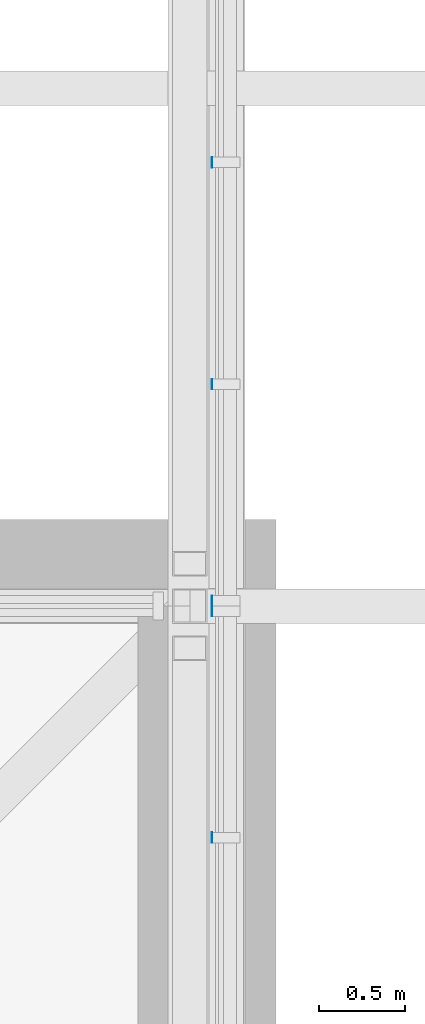
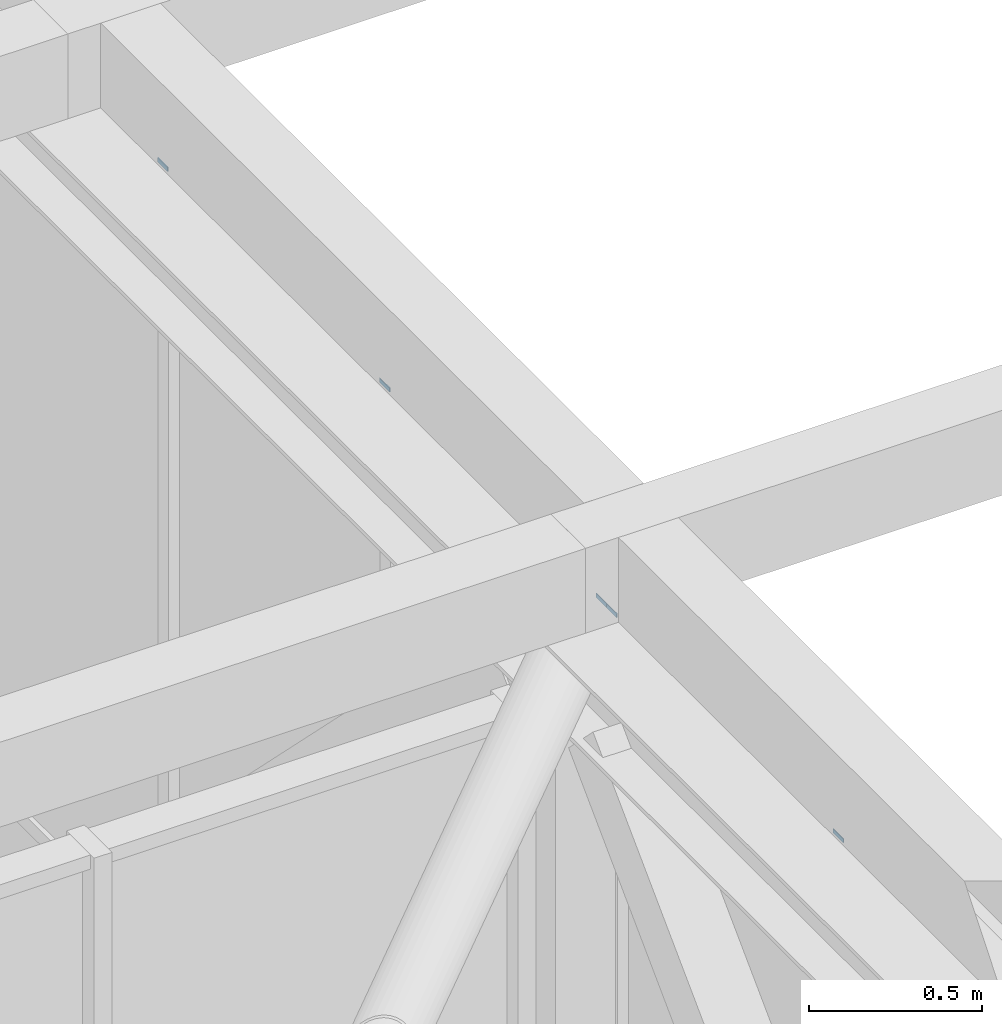
# One storey, part 625 of 646: 5 discrete accessories.
"""IFC4 building model written with IfcOpenShell, lengths in metres."""

import ifcopenshell
import ifcopenshell.guid

model = None  # the IFC model being written
_history = None  # IfcOwnerHistory: only IFC2X3 demands one
_inside = {}  # id of a spatial element -> (the spatial element, [elements in it])
_under = {}  # id of a project, library or spatial element -> (it, [spatial elements below it])
_declared = {}  # id of a project -> (the project, [libraries it declares])
_typed = {}  # id of a type object -> (the type object, [elements of that type])
_made_of = {}  # id of a material, layer set ... -> (it, [elements and type objects made of it])


def new_model(schema):
    """Start an empty IFC model of exactly this schema.

    Asked for "IFC4X3", IfcOpenShell would pick the latest addendum, in which some entities
    have other attributes; the version numbers below select the first issue.
    IFC2X3 requires an IfcOwnerHistory on every rooted entity: one is made here for all.
    """
    global model, _history
    if schema == "IFC4X3":
        model = ifcopenshell.file(schema_version=(4, 3, 0, 0))
    else:
        model = ifcopenshell.file(schema=schema)
    _inside.clear()
    _under.clear()
    _declared.clear()
    _typed.clear()
    _made_of.clear()
    _history = None
    if model.schema == "IFC2X3":
        org = make("IfcOrganization", Name="unknown")
        user = make(
            "IfcPersonAndOrganization",
            ThePerson=make("IfcPerson", FamilyName="unknown"),
            TheOrganization=org,
        )
        app = make(
            "IfcApplication",
            ApplicationDeveloper=org,
            Version="unknown",
            ApplicationFullName="unknown",
            ApplicationIdentifier="unknown",
        )
        _history = make(
            "IfcOwnerHistory",
            OwningUser=user,
            OwningApplication=app,
            ChangeAction="ADDED",
            CreationDate=0,
        )
    return model


def make(cls, **values):
    """One entity of the class cls with the attributes given. An attribute that is None is left unset."""
    return model.create_entity(
        cls, **{name: value for name, value in values.items() if value is not None}
    )


def rooted(cls, **values):
    """An entity with a GlobalId (a new one), such as an element, a storey or a relation."""
    return make(cls, GlobalId=ifcopenshell.guid.new(), OwnerHistory=_history, **values)


def si_unit(unit_type, name, prefix=None):
    """IfcSIUnit, for example si_unit("LENGTHUNIT", "METRE", prefix="MILLI")."""
    return make("IfcSIUnit", UnitType=unit_type, Prefix=prefix, Name=name)


def assignment(units):
    """IfcUnitAssignment: the units of a project."""
    return None if units is None else make("IfcUnitAssignment", Units=units)


def point(xyz):
    """IfcCartesianPoint."""
    return None if xyz is None else make("IfcCartesianPoint", Coordinates=xyz)


def direction(xyz):
    """IfcDirection."""
    return None if xyz is None else make("IfcDirection", DirectionRatios=xyz)


def frame(location, z_axis=None, x_axis=None):
    """IfcAxis2Placement3D, a coordinate frame: its origin and axes. An axis left out is left unset."""
    return make(
        "IfcAxis2Placement3D",
        Location=point(location),
        Axis=direction(z_axis),
        RefDirection=direction(x_axis),
    )


def frame_2d(location, x_axis=None):
    """IfcAxis2Placement2D, a coordinate frame in the plane: its origin and x axis."""
    return make(
        "IfcAxis2Placement2D", Location=point(location), RefDirection=direction(x_axis)
    )


def origin():
    """The frame at (0, 0, 0) with its axes left unset."""
    return frame((0.0, 0.0, 0.0))


def origin_2d():
    """The frame at (0, 0) in the plane with its x axis left unset."""
    return frame_2d((0.0, 0.0))


def place(relative_to, where):
    """IfcLocalPlacement: puts the frame where relative to a parent placement (None: the world)."""
    return make(
        "IfcLocalPlacement", PlacementRelTo=relative_to, RelativePlacement=where
    )


def context(
    kind, dimensions, precision=None, world=None, true_north=None, identifier=None
):
    """IfcGeometricRepresentationContext, for example the 3D "Model" context."""
    return make(
        "IfcGeometricRepresentationContext",
        ContextIdentifier=identifier,
        ContextType=kind,
        CoordinateSpaceDimension=dimensions,
        Precision=precision,
        WorldCoordinateSystem=world,
        TrueNorth=true_north,
    )


def subcontext(parent, identifier, kind, view, scale=None):
    """IfcGeometricRepresentationSubContext, for example "Body" below "Model"."""
    return make(
        "IfcGeometricRepresentationSubContext",
        ContextIdentifier=identifier,
        ContextType=kind,
        ParentContext=parent,
        TargetScale=scale,
        TargetView=view,
    )


def project(units=None, contexts=None):
    """IfcProject with its units and contexts."""
    return rooted(
        "IfcProject",
        Name="project",
        RepresentationContexts=contexts,
        UnitsInContext=assignment(units),
    )


def spatial(cls, under=None, at=None, **own):
    """A site, building, storey or space (cls), placed at a placement, below another one or the project."""
    s = rooted(cls, ObjectPlacement=at, **own)
    if under is not None:
        _under.setdefault(under.id(), (under, []))[1].append(s)
    return s


def profile(cls, at=None, kind="AREA", **sizes):
    """A parametric profile (cls). Its sizes go by their IFC names, for example OverallWidth=200.0."""
    return make(cls, ProfileType=kind, Position=at, **sizes)


def rectangle(**sizes):
    """IfcRectangleProfileDef."""
    return profile("IfcRectangleProfileDef", **sizes)


def extrude(swept, where, along, depth):
    """IfcExtrudedAreaSolid: the profile swept, set in the frame where, extruded along a direction by depth."""
    return make(
        "IfcExtrudedAreaSolid",
        SweptArea=swept,
        Position=where,
        ExtrudedDirection=direction(along),
        Depth=depth,
    )


def shape(context_of_items, identifier, shape_type, items):
    """IfcShapeRepresentation: the items that make up one representation, for example the "Body"."""
    return make(
        "IfcShapeRepresentation",
        ContextOfItems=context_of_items,
        RepresentationIdentifier=identifier,
        RepresentationType=shape_type,
        Items=items,
    )


def material(Name=None, Category=None):
    """IfcMaterial."""
    return make("IfcMaterial", Name=Name, Category=Category)


def made_of(thing, what):
    """Note that an element or type object is made of a material, layer set ...; save() writes the relation."""
    if what is not None:
        _made_of.setdefault(what.id(), (what, []))[1].append(thing)
    return thing


def type_object(cls, material=None, **own):
    """A type object (cls), such as IfcWallType, which elements share."""
    return made_of(rooted(cls, **own), material)


def element(
    cls,
    number,
    at=None,
    inside=None,
    cuts=None,
    type_object=None,
    material=None,
    context=None,
    identifier="Body",
    shape_type=None,
    held_by="IfcProductDefinitionShape",
    body=None,
    shapes=None,
    **own,
):
    """One element of the class cls, such as IfcWall. Its Tag is "e" and its number.

    at: its placement. inside: the storey or other place that contains it. cuts: it is an
    opening in that element (IfcRelVoidsElement). A single representation is given by context,
    identifier, shape_type and body (its items); several are given by shapes. held_by: the class
    of the entity that holds the representations. save() writes the other relations.
    """
    e = rooted(cls, Tag="e%d" % number, ObjectPlacement=at, **own)
    if body is not None:
        shapes = [shape(context, identifier, shape_type, body)]
    if shapes is not None:
        e.Representation = make(held_by, Representations=shapes)
    if inside is not None:
        _inside.setdefault(inside.id(), (inside, []))[1].append(e)
    if cuts is not None:
        rooted(
            "IfcRelVoidsElement", RelatingBuildingElement=cuts, RelatedOpeningElement=e
        )
    if type_object is not None:
        _typed.setdefault(type_object.id(), (type_object, []))[1].append(e)
    return made_of(e, material)


def aggregate(whole, parts):
    """IfcRelAggregates: a whole, such as a stair, and the parts it consists of."""
    return rooted("IfcRelAggregates", RelatingObject=whole, RelatedObjects=parts)


def save(model, path):
    """Write the relations noted so far, then the file.

    IfcRelAggregates (storeys below a building ...), IfcRelContainedInSpatialStructure (elements
    in a storey), IfcRelDefinesByType, IfcRelAssociatesMaterial and IfcRelDeclares: one each for
    every whole, place, type object, material and project.
    """
    for whole, parts in _under.values():
        aggregate(whole, parts)
    for where, things in _inside.values():
        rooted(
            "IfcRelContainedInSpatialStructure",
            RelatedElements=things,
            RelatingStructure=where,
        )
    for kind, things in _typed.values():
        rooted("IfcRelDefinesByType", RelatedObjects=things, RelatingType=kind)
    for what, things in _made_of.values():
        rooted("IfcRelAssociatesMaterial", RelatedObjects=things, RelatingMaterial=what)
    for by, libraries in _declared.values():
        rooted("IfcRelDeclares", RelatingContext=by, RelatedDefinitions=libraries)
    model.write(path)


model = new_model("IFC4")

# Units and contexts
model_context = context("Model", 3, precision=1e-05, world=origin(), true_north=direction((0.0, 1.0)))
body_context = subcontext(model_context, "Body", "Model", "MODEL_VIEW")
ifc_project = project(units=[si_unit("LENGTHUNIT", "METRE"), si_unit("AREAUNIT", "SQUARE_METRE"), si_unit("VOLUMEUNIT", "CUBIC_METRE"), si_unit("PLANEANGLEUNIT", "RADIAN"), si_unit("MASSUNIT", "GRAM", prefix="KILO")], contexts=[model_context])

# Site, building, storey
site_placement = place(None, origin())
site = spatial("IfcSite", under=ifc_project, at=site_placement, CompositionType="ELEMENT")
building_placement = place(site_placement, origin())
building = spatial("IfcBuilding", under=site, at=building_placement, Name="Silverbay Arena", CompositionType="ELEMENT")
storey_placement = place(building_placement, frame((0.0, 0.0, 33.5)))
storey = spatial("IfcBuildingStorey", under=building, at=storey_placement, Name="L05", CompositionType="ELEMENT", Elevation=33.5)

# Discrete accessories
ifc_material = material(Name="Steel S355", Category="steel")
discrete_accessory_type = type_object("IfcDiscreteAccessoryType", Name="Steel bracket plate", PredefinedType="BRACKET", material=ifc_material)
for number, where, z_axis, x_axis, name in (
    (1, (207.128662109375, 142.6572265625, 12.98583984375), (0.0, 0.0, 1.0), (1.0, 0.0, 0.0), "Curtain wall packing plate"),
    (2, (207.128662109375, 143.969970703125, 12.98583984375), (0.0, 0.0, 1.0), (1.0, 0.0, 0.0), "Curtain wall packing plate"),
    (3, (207.128662109375, 144.030029296875, 12.98583984375), (0.0, 0.0, 1.0), (1.0, 0.0, 0.0), "Curtain wall packing plate"),
    (4, (207.128662109375, 145.28564453125, 12.98583984375), (0.0, 0.0, 1.0), (1.0, 0.0, 0.0), "Curtain wall packing plate"),
    (5, (207.128662109375, 146.571533203125, 12.98583984375), (0.0, 0.0, 1.0), (1.0, 0.0, 0.0), "Curtain wall packing plate"),
):
    element("IfcDiscreteAccessory", number, at=place(storey_placement, frame(where, z_axis=z_axis, x_axis=x_axis)), inside=storey, type_object=discrete_accessory_type, Name=name, PredefinedType="BRACKET", context=body_context, shape_type="SweptSolid", body=[
        extrude(rectangle(XDim=0.002685546875, YDim=0.06005859375, at=origin_2d()), origin(), (0.0, 0.0, 1.0), 0.01416015625),
    ])

save(model, "model.ifc")
